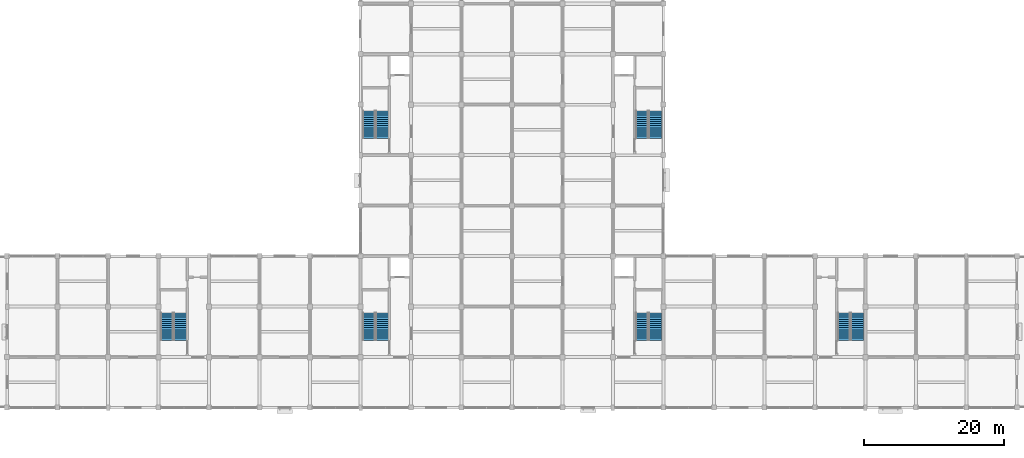
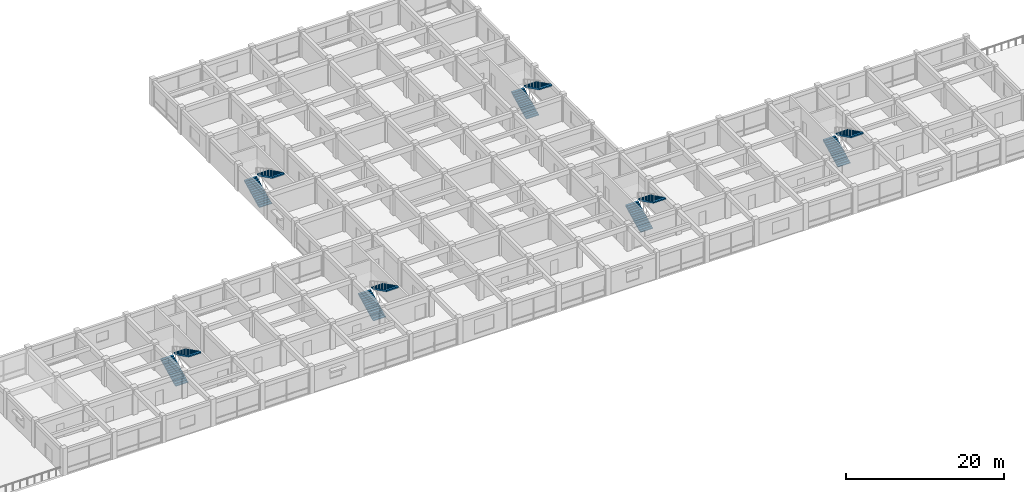
# One storey, part 25 of 31: 12 stair flights, 6 elements without a shape of their own.
"""IFC4 building model written with IfcOpenShell, lengths in metres."""

from ifc_helpers import new_model, si_unit, direction, frame, origin, place, context, subcontext, project, spatial, polyline, outline, extrude, material, type_object, element, aggregate, save


model = new_model("IFC4")

# Units and contexts
model_context = context("Model", 3, precision=1e-05, world=origin(), true_north=direction((0.0, 1.0)))
body_context = subcontext(model_context, "Body", "Model", "MODEL_VIEW")
ifc_project = project(units=[si_unit("LENGTHUNIT", "METRE"), si_unit("AREAUNIT", "SQUARE_METRE"), si_unit("VOLUMEUNIT", "CUBIC_METRE"), si_unit("PLANEANGLEUNIT", "RADIAN"), si_unit("MASSUNIT", "GRAM", prefix="KILO")], contexts=[model_context])

# Site, building, storey
site_placement = place(None, origin())
site = spatial("IfcSite", under=ifc_project, at=site_placement, CompositionType="ELEMENT")
building_placement = place(site_placement, origin())
building = spatial("IfcBuilding", under=site, at=building_placement, Name="Cendaluz Park School", CompositionType="ELEMENT")
storey_placement = place(building_placement, frame((0.0, 0.0, 14.39990234375)))
storey = spatial("IfcBuildingStorey", under=building, at=storey_placement, Name="L03", CompositionType="ELEMENT", Elevation=14.39990234375)

# Stair, stair flights
ifc_material = material(Name="Concrete C40/50", Category="concrete")
stair_type = type_object("IfcStairType", Name="ST-420-180", PredefinedType="HALF_TURN_STAIR", material=ifc_material)
stair_1_placement = place(storey_placement, origin())
stair_1 = element("IfcStair", 1, at=stair_1_placement, inside=storey, type_object=stair_type, Name="ST-L03-C1", PredefinedType="HALF_TURN_STAIR")
stair_flight_type = type_object("IfcStairFlightType", Name="SF-14-150-180", PredefinedType="STRAIGHT", material=ifc_material)
stair_flight_1_placement = place(storey_placement, frame((65.989990234375, 16.800048828125, 0.0), z_axis=(0.0, 0.0, 1.0), x_axis=(0.0, 1.0, 0.0)))
stair_flight_1 = element("IfcStairFlight", 2, at=stair_flight_1_placement, type_object=stair_flight_type, Name="SF-L03-C1-1", NumberOfRisers=14, NumberOfTreads=13, PredefinedType="STRAIGHT", RiserHeight=0.15, TreadLength=0.3, context=body_context, shape_type="SweptSolid", body=[
    extrude(outline(polyline([(0.0, 0.0), (0.0, 0.14990234375), (0.300048828125, 0.14990234375), (0.300048828125, 0.300048828125), (0.60009765625, 0.300048828125), (0.60009765625, 0.449951171875), (0.89990234375, 0.449951171875), (0.89990234375, 0.60009765625), (1.199951171875, 0.60009765625), (1.199951171875, 0.75), (1.5, 0.75), (1.5, 0.89990234375), (1.800048828125, 0.89990234375), (1.800048828125, 1.050048828125), (2.10009765625, 1.050048828125), (2.10009765625, 1.199951171875), (2.39990234375, 1.199951171875), (2.39990234375, 1.35009765625), (2.699951171875, 1.35009765625), (2.699951171875, 1.5), (3.0, 1.5), (3.0, 1.64990234375), (3.300048828125, 1.64990234375), (3.300048828125, 1.800048828125), (3.60009765625, 1.800048828125), (3.60009765625, 1.949951171875), (3.89990234375, 1.949951171875), (3.89990234375, 2.10009765625), (3.89990234375, 1.748779296875), (0.40234375, 0.0), (0.0, 0.0)])), frame((0.0, 0.89990234375, 0.0), z_axis=(0.0, -1.0, 0.0), x_axis=(1.0, 0.0, 0.0)), (0.0, 0.0, 1.0), 1.800048828125),
])
stair_flight_2_placement = place(storey_placement, frame((67.860107421875, 20.699951171875, 2.10009765625), z_axis=(0.0, 0.0, 1.0), x_axis=(0.0, -1.0, 0.0)))
stair_flight_2 = element("IfcStairFlight", 3, at=stair_flight_2_placement, type_object=stair_flight_type, Name="SF-L03-C1-2", NumberOfRisers=14, NumberOfTreads=13, PredefinedType="STRAIGHT", RiserHeight=0.15, TreadLength=0.3, context=body_context, shape_type="SweptSolid", body=[
    extrude(outline(polyline([(0.0, 0.0), (0.0, 0.14990234375), (0.300048828125, 0.14990234375), (0.300048828125, 0.300048828125), (0.60009765625, 0.300048828125), (0.60009765625, 0.449951171875), (0.89990234375, 0.449951171875), (0.89990234375, 0.60009765625), (1.199951171875, 0.60009765625), (1.199951171875, 0.75), (1.5, 0.75), (1.5, 0.89990234375), (1.800048828125, 0.89990234375), (1.800048828125, 1.050048828125), (2.10009765625, 1.050048828125), (2.10009765625, 1.199951171875), (2.39990234375, 1.199951171875), (2.39990234375, 1.35009765625), (2.699951171875, 1.35009765625), (2.699951171875, 1.5), (3.0, 1.5), (3.0, 1.64990234375), (3.300048828125, 1.64990234375), (3.300048828125, 1.800048828125), (3.60009765625, 1.800048828125), (3.60009765625, 1.949951171875), (3.89990234375, 1.949951171875), (3.89990234375, 2.10009765625), (3.89990234375, 1.748779296875), (0.40234375, 0.0), (0.0, 0.0)])), frame((0.0, 0.89990234375, 0.0), z_axis=(0.0, -1.0, 0.0), x_axis=(1.0, 0.0, 0.0)), (0.0, 0.0, 1.0), 1.800048828125),
])
aggregate(stair_1, [stair_flight_1, stair_flight_2])

stair_2_placement = place(storey_placement, origin())
stair_2 = element("IfcStair", 4, at=stair_2_placement, inside=storey, type_object=stair_type, Name="ST-L03-C2", PredefinedType="HALF_TURN_STAIR")
stair_flight_3_placement = place(storey_placement, frame((104.93994140625, 16.800048828125, 0.0), z_axis=(0.0, 0.0, 1.0), x_axis=(0.0, 1.0, 0.0)))
stair_flight_3 = element("IfcStairFlight", 5, at=stair_flight_3_placement, type_object=stair_flight_type, Name="SF-L03-C2-1", NumberOfRisers=14, NumberOfTreads=13, PredefinedType="STRAIGHT", RiserHeight=0.15, TreadLength=0.3, context=body_context, shape_type="SweptSolid", body=[
    extrude(outline(polyline([(0.0, 0.0), (0.0, 0.14990234375), (0.300048828125, 0.14990234375), (0.300048828125, 0.300048828125), (0.60009765625, 0.300048828125), (0.60009765625, 0.449951171875), (0.89990234375, 0.449951171875), (0.89990234375, 0.60009765625), (1.199951171875, 0.60009765625), (1.199951171875, 0.75), (1.5, 0.75), (1.5, 0.89990234375), (1.800048828125, 0.89990234375), (1.800048828125, 1.050048828125), (2.10009765625, 1.050048828125), (2.10009765625, 1.199951171875), (2.39990234375, 1.199951171875), (2.39990234375, 1.35009765625), (2.699951171875, 1.35009765625), (2.699951171875, 1.5), (3.0, 1.5), (3.0, 1.64990234375), (3.300048828125, 1.64990234375), (3.300048828125, 1.800048828125), (3.60009765625, 1.800048828125), (3.60009765625, 1.949951171875), (3.89990234375, 1.949951171875), (3.89990234375, 2.10009765625), (3.89990234375, 1.748779296875), (0.40234375, 0.0), (0.0, 0.0)])), frame((0.0, 0.89990234375, 0.0), z_axis=(0.0, -1.0, 0.0), x_axis=(1.0, 0.0, 0.0)), (0.0, 0.0, 1.0), 1.800048828125),
])
stair_flight_4_placement = place(storey_placement, frame((106.81005859375, 20.699951171875, 2.10009765625), z_axis=(0.0, 0.0, 1.0), x_axis=(0.0, -1.0, 0.0)))
stair_flight_4 = element("IfcStairFlight", 6, at=stair_flight_4_placement, type_object=stair_flight_type, Name="SF-L03-C2-2", NumberOfRisers=14, NumberOfTreads=13, PredefinedType="STRAIGHT", RiserHeight=0.15, TreadLength=0.3, context=body_context, shape_type="SweptSolid", body=[
    extrude(outline(polyline([(0.0, 0.0), (0.0, 0.14990234375), (0.300048828125, 0.14990234375), (0.300048828125, 0.300048828125), (0.60009765625, 0.300048828125), (0.60009765625, 0.449951171875), (0.89990234375, 0.449951171875), (0.89990234375, 0.60009765625), (1.199951171875, 0.60009765625), (1.199951171875, 0.75), (1.5, 0.75), (1.5, 0.89990234375), (1.800048828125, 0.89990234375), (1.800048828125, 1.050048828125), (2.10009765625, 1.050048828125), (2.10009765625, 1.199951171875), (2.39990234375, 1.199951171875), (2.39990234375, 1.35009765625), (2.699951171875, 1.35009765625), (2.699951171875, 1.5), (3.0, 1.5), (3.0, 1.64990234375), (3.300048828125, 1.64990234375), (3.300048828125, 1.800048828125), (3.60009765625, 1.800048828125), (3.60009765625, 1.949951171875), (3.89990234375, 1.949951171875), (3.89990234375, 2.10009765625), (3.89990234375, 1.748779296875), (0.40234375, 0.0), (0.0, 0.0)])), frame((0.0, 0.89990234375, 0.0), z_axis=(0.0, -1.0, 0.0), x_axis=(1.0, 0.0, 0.0)), (0.0, 0.0, 1.0), 1.800048828125),
])
aggregate(stair_2, [stair_flight_3, stair_flight_4])

stair_3_placement = place(storey_placement, origin())
stair_3 = element("IfcStair", 7, at=stair_3_placement, inside=storey, type_object=stair_type, Name="ST-L03-C3", PredefinedType="HALF_TURN_STAIR")
stair_flight_5_placement = place(storey_placement, frame((65.989990234375, 45.60009765625, 0.0), z_axis=(0.0, 0.0, 1.0), x_axis=(0.0, 1.0, 0.0)))
stair_flight_5 = element("IfcStairFlight", 8, at=stair_flight_5_placement, type_object=stair_flight_type, Name="SF-L03-C3-1", NumberOfRisers=14, NumberOfTreads=13, PredefinedType="STRAIGHT", RiserHeight=0.15, TreadLength=0.3, context=body_context, shape_type="SweptSolid", body=[
    extrude(outline(polyline([(0.0, 0.0), (0.0, 0.14990234375), (0.300048828125, 0.14990234375), (0.300048828125, 0.300048828125), (0.60009765625, 0.300048828125), (0.60009765625, 0.449951171875), (0.89990234375, 0.449951171875), (0.89990234375, 0.60009765625), (1.199951171875, 0.60009765625), (1.199951171875, 0.75), (1.5, 0.75), (1.5, 0.89990234375), (1.800048828125, 0.89990234375), (1.800048828125, 1.050048828125), (2.10009765625, 1.050048828125), (2.10009765625, 1.199951171875), (2.39990234375, 1.199951171875), (2.39990234375, 1.35009765625), (2.699951171875, 1.35009765625), (2.699951171875, 1.5), (3.0, 1.5), (3.0, 1.64990234375), (3.300048828125, 1.64990234375), (3.300048828125, 1.800048828125), (3.60009765625, 1.800048828125), (3.60009765625, 1.949951171875), (3.89990234375, 1.949951171875), (3.89990234375, 2.10009765625), (3.89990234375, 1.748779296875), (0.40234375, 0.0), (0.0, 0.0)])), frame((0.0, 0.89990234375, 0.0), z_axis=(0.0, -1.0, 0.0), x_axis=(1.0, 0.0, 0.0)), (0.0, 0.0, 1.0), 1.800048828125),
])
stair_flight_6_placement = place(storey_placement, frame((67.860107421875, 49.5, 2.10009765625), z_axis=(0.0, 0.0, 1.0), x_axis=(0.0, -1.0, 0.0)))
stair_flight_6 = element("IfcStairFlight", 9, at=stair_flight_6_placement, type_object=stair_flight_type, Name="SF-L03-C3-2", NumberOfRisers=14, NumberOfTreads=13, PredefinedType="STRAIGHT", RiserHeight=0.15, TreadLength=0.3, context=body_context, shape_type="SweptSolid", body=[
    extrude(outline(polyline([(0.0, 0.0), (0.0, 0.14990234375), (0.300048828125, 0.14990234375), (0.300048828125, 0.300048828125), (0.60009765625, 0.300048828125), (0.60009765625, 0.449951171875), (0.89990234375, 0.449951171875), (0.89990234375, 0.60009765625), (1.199951171875, 0.60009765625), (1.199951171875, 0.75), (1.5, 0.75), (1.5, 0.89990234375), (1.800048828125, 0.89990234375), (1.800048828125, 1.050048828125), (2.10009765625, 1.050048828125), (2.10009765625, 1.199951171875), (2.39990234375, 1.199951171875), (2.39990234375, 1.35009765625), (2.699951171875, 1.35009765625), (2.699951171875, 1.5), (3.0, 1.5), (3.0, 1.64990234375), (3.300048828125, 1.64990234375), (3.300048828125, 1.800048828125), (3.60009765625, 1.800048828125), (3.60009765625, 1.949951171875), (3.89990234375, 1.949951171875), (3.89990234375, 2.10009765625), (3.89990234375, 1.748779296875), (0.40234375, 0.0), (0.0, 0.0)])), frame((0.0, 0.89990234375, 0.0), z_axis=(0.0, -1.0, 0.0), x_axis=(1.0, 0.0, 0.0)), (0.0, 0.0, 1.0), 1.800048828125),
])
aggregate(stair_3, [stair_flight_5, stair_flight_6])

stair_4_placement = place(storey_placement, origin())
stair_4 = element("IfcStair", 10, at=stair_4_placement, inside=storey, type_object=stair_type, Name="ST-L03-C4", PredefinedType="HALF_TURN_STAIR")
stair_flight_7_placement = place(storey_placement, frame((104.93994140625, 45.60009765625, 0.0), z_axis=(0.0, 0.0, 1.0), x_axis=(0.0, 1.0, 0.0)))
stair_flight_7 = element("IfcStairFlight", 11, at=stair_flight_7_placement, type_object=stair_flight_type, Name="SF-L03-C4-1", NumberOfRisers=14, NumberOfTreads=13, PredefinedType="STRAIGHT", RiserHeight=0.15, TreadLength=0.3, context=body_context, shape_type="SweptSolid", body=[
    extrude(outline(polyline([(0.0, 0.0), (0.0, 0.14990234375), (0.300048828125, 0.14990234375), (0.300048828125, 0.300048828125), (0.60009765625, 0.300048828125), (0.60009765625, 0.449951171875), (0.89990234375, 0.449951171875), (0.89990234375, 0.60009765625), (1.199951171875, 0.60009765625), (1.199951171875, 0.75), (1.5, 0.75), (1.5, 0.89990234375), (1.800048828125, 0.89990234375), (1.800048828125, 1.050048828125), (2.10009765625, 1.050048828125), (2.10009765625, 1.199951171875), (2.39990234375, 1.199951171875), (2.39990234375, 1.35009765625), (2.699951171875, 1.35009765625), (2.699951171875, 1.5), (3.0, 1.5), (3.0, 1.64990234375), (3.300048828125, 1.64990234375), (3.300048828125, 1.800048828125), (3.60009765625, 1.800048828125), (3.60009765625, 1.949951171875), (3.89990234375, 1.949951171875), (3.89990234375, 2.10009765625), (3.89990234375, 1.748779296875), (0.40234375, 0.0), (0.0, 0.0)])), frame((0.0, 0.89990234375, 0.0), z_axis=(0.0, -1.0, 0.0), x_axis=(1.0, 0.0, 0.0)), (0.0, 0.0, 1.0), 1.800048828125),
])
stair_flight_8_placement = place(storey_placement, frame((106.81005859375, 49.5, 2.10009765625), z_axis=(0.0, 0.0, 1.0), x_axis=(0.0, -1.0, 0.0)))
stair_flight_8 = element("IfcStairFlight", 12, at=stair_flight_8_placement, type_object=stair_flight_type, Name="SF-L03-C4-2", NumberOfRisers=14, NumberOfTreads=13, PredefinedType="STRAIGHT", RiserHeight=0.15, TreadLength=0.3, context=body_context, shape_type="SweptSolid", body=[
    extrude(outline(polyline([(0.0, 0.0), (0.0, 0.14990234375), (0.300048828125, 0.14990234375), (0.300048828125, 0.300048828125), (0.60009765625, 0.300048828125), (0.60009765625, 0.449951171875), (0.89990234375, 0.449951171875), (0.89990234375, 0.60009765625), (1.199951171875, 0.60009765625), (1.199951171875, 0.75), (1.5, 0.75), (1.5, 0.89990234375), (1.800048828125, 0.89990234375), (1.800048828125, 1.050048828125), (2.10009765625, 1.050048828125), (2.10009765625, 1.199951171875), (2.39990234375, 1.199951171875), (2.39990234375, 1.35009765625), (2.699951171875, 1.35009765625), (2.699951171875, 1.5), (3.0, 1.5), (3.0, 1.64990234375), (3.300048828125, 1.64990234375), (3.300048828125, 1.800048828125), (3.60009765625, 1.800048828125), (3.60009765625, 1.949951171875), (3.89990234375, 1.949951171875), (3.89990234375, 2.10009765625), (3.89990234375, 1.748779296875), (0.40234375, 0.0), (0.0, 0.0)])), frame((0.0, 0.89990234375, 0.0), z_axis=(0.0, -1.0, 0.0), x_axis=(1.0, 0.0, 0.0)), (0.0, 0.0, 1.0), 1.800048828125),
])
aggregate(stair_4, [stair_flight_7, stair_flight_8])

stair_5_placement = place(storey_placement, origin())
stair_5 = element("IfcStair", 13, at=stair_5_placement, inside=storey, type_object=stair_type, Name="ST-L03-C5", PredefinedType="HALF_TURN_STAIR")
stair_flight_9_placement = place(storey_placement, frame((37.18994140625, 16.800048828125, 0.0), z_axis=(0.0, 0.0, 1.0), x_axis=(0.0, 1.0, 0.0)))
stair_flight_9 = element("IfcStairFlight", 14, at=stair_flight_9_placement, type_object=stair_flight_type, Name="SF-L03-C5-1", NumberOfRisers=14, NumberOfTreads=13, PredefinedType="STRAIGHT", RiserHeight=0.15, TreadLength=0.3, context=body_context, shape_type="SweptSolid", body=[
    extrude(outline(polyline([(0.0, 0.0), (0.0, 0.14990234375), (0.300048828125, 0.14990234375), (0.300048828125, 0.300048828125), (0.60009765625, 0.300048828125), (0.60009765625, 0.449951171875), (0.89990234375, 0.449951171875), (0.89990234375, 0.60009765625), (1.199951171875, 0.60009765625), (1.199951171875, 0.75), (1.5, 0.75), (1.5, 0.89990234375), (1.800048828125, 0.89990234375), (1.800048828125, 1.050048828125), (2.10009765625, 1.050048828125), (2.10009765625, 1.199951171875), (2.39990234375, 1.199951171875), (2.39990234375, 1.35009765625), (2.699951171875, 1.35009765625), (2.699951171875, 1.5), (3.0, 1.5), (3.0, 1.64990234375), (3.300048828125, 1.64990234375), (3.300048828125, 1.800048828125), (3.60009765625, 1.800048828125), (3.60009765625, 1.949951171875), (3.89990234375, 1.949951171875), (3.89990234375, 2.10009765625), (3.89990234375, 1.748779296875), (0.40234375, 0.0), (0.0, 0.0)])), frame((0.0, 0.89990234375, 0.0), z_axis=(0.0, -1.0, 0.0), x_axis=(1.0, 0.0, 0.0)), (0.0, 0.0, 1.0), 1.800048828125),
])
stair_flight_10_placement = place(storey_placement, frame((39.06005859375, 20.699951171875, 2.10009765625), z_axis=(0.0, 0.0, 1.0), x_axis=(0.0, -1.0, 0.0)))
stair_flight_10 = element("IfcStairFlight", 15, at=stair_flight_10_placement, type_object=stair_flight_type, Name="SF-L03-C5-2", NumberOfRisers=14, NumberOfTreads=13, PredefinedType="STRAIGHT", RiserHeight=0.15, TreadLength=0.3, context=body_context, shape_type="SweptSolid", body=[
    extrude(outline(polyline([(0.0, 0.0), (0.0, 0.14990234375), (0.300048828125, 0.14990234375), (0.300048828125, 0.300048828125), (0.60009765625, 0.300048828125), (0.60009765625, 0.449951171875), (0.89990234375, 0.449951171875), (0.89990234375, 0.60009765625), (1.199951171875, 0.60009765625), (1.199951171875, 0.75), (1.5, 0.75), (1.5, 0.89990234375), (1.800048828125, 0.89990234375), (1.800048828125, 1.050048828125), (2.10009765625, 1.050048828125), (2.10009765625, 1.199951171875), (2.39990234375, 1.199951171875), (2.39990234375, 1.35009765625), (2.699951171875, 1.35009765625), (2.699951171875, 1.5), (3.0, 1.5), (3.0, 1.64990234375), (3.300048828125, 1.64990234375), (3.300048828125, 1.800048828125), (3.60009765625, 1.800048828125), (3.60009765625, 1.949951171875), (3.89990234375, 1.949951171875), (3.89990234375, 2.10009765625), (3.89990234375, 1.748779296875), (0.40234375, 0.0), (0.0, 0.0)])), frame((0.0, 0.89990234375, 0.0), z_axis=(0.0, -1.0, 0.0), x_axis=(1.0, 0.0, 0.0)), (0.0, 0.0, 1.0), 1.800048828125),
])
aggregate(stair_5, [stair_flight_9, stair_flight_10])

stair_6_placement = place(storey_placement, origin())
stair_6 = element("IfcStair", 16, at=stair_6_placement, inside=storey, type_object=stair_type, Name="ST-L03-C6", PredefinedType="HALF_TURN_STAIR")
stair_flight_11_placement = place(storey_placement, frame((133.739990234375, 16.800048828125, 0.0), z_axis=(0.0, 0.0, 1.0), x_axis=(0.0, 1.0, 0.0)))
stair_flight_11 = element("IfcStairFlight", 17, at=stair_flight_11_placement, type_object=stair_flight_type, Name="SF-L03-C6-1", NumberOfRisers=14, NumberOfTreads=13, PredefinedType="STRAIGHT", RiserHeight=0.15, TreadLength=0.3, context=body_context, shape_type="SweptSolid", body=[
    extrude(outline(polyline([(0.0, 0.0), (0.0, 0.14990234375), (0.300048828125, 0.14990234375), (0.300048828125, 0.300048828125), (0.60009765625, 0.300048828125), (0.60009765625, 0.449951171875), (0.89990234375, 0.449951171875), (0.89990234375, 0.60009765625), (1.199951171875, 0.60009765625), (1.199951171875, 0.75), (1.5, 0.75), (1.5, 0.89990234375), (1.800048828125, 0.89990234375), (1.800048828125, 1.050048828125), (2.10009765625, 1.050048828125), (2.10009765625, 1.199951171875), (2.39990234375, 1.199951171875), (2.39990234375, 1.35009765625), (2.699951171875, 1.35009765625), (2.699951171875, 1.5), (3.0, 1.5), (3.0, 1.64990234375), (3.300048828125, 1.64990234375), (3.300048828125, 1.800048828125), (3.60009765625, 1.800048828125), (3.60009765625, 1.949951171875), (3.89990234375, 1.949951171875), (3.89990234375, 2.10009765625), (3.89990234375, 1.748779296875), (0.40234375, 0.0), (0.0, 0.0)])), frame((0.0, 0.89990234375, 0.0), z_axis=(0.0, -1.0, 0.0), x_axis=(1.0, 0.0, 0.0)), (0.0, 0.0, 1.0), 1.800048828125),
])
stair_flight_12_placement = place(storey_placement, frame((135.610107421875, 20.699951171875, 2.10009765625), z_axis=(0.0, 0.0, 1.0), x_axis=(0.0, -1.0, 0.0)))
stair_flight_12 = element("IfcStairFlight", 18, at=stair_flight_12_placement, type_object=stair_flight_type, Name="SF-L03-C6-2", NumberOfRisers=14, NumberOfTreads=13, PredefinedType="STRAIGHT", RiserHeight=0.15, TreadLength=0.3, context=body_context, shape_type="SweptSolid", body=[
    extrude(outline(polyline([(0.0, 0.0), (0.0, 0.14990234375), (0.300048828125, 0.14990234375), (0.300048828125, 0.300048828125), (0.60009765625, 0.300048828125), (0.60009765625, 0.449951171875), (0.89990234375, 0.449951171875), (0.89990234375, 0.60009765625), (1.199951171875, 0.60009765625), (1.199951171875, 0.75), (1.5, 0.75), (1.5, 0.89990234375), (1.800048828125, 0.89990234375), (1.800048828125, 1.050048828125), (2.10009765625, 1.050048828125), (2.10009765625, 1.199951171875), (2.39990234375, 1.199951171875), (2.39990234375, 1.35009765625), (2.699951171875, 1.35009765625), (2.699951171875, 1.5), (3.0, 1.5), (3.0, 1.64990234375), (3.300048828125, 1.64990234375), (3.300048828125, 1.800048828125), (3.60009765625, 1.800048828125), (3.60009765625, 1.949951171875), (3.89990234375, 1.949951171875), (3.89990234375, 2.10009765625), (3.89990234375, 1.748779296875), (0.40234375, 0.0), (0.0, 0.0)])), frame((0.0, 0.89990234375, 0.0), z_axis=(0.0, -1.0, 0.0), x_axis=(1.0, 0.0, 0.0)), (0.0, 0.0, 1.0), 1.800048828125),
])
aggregate(stair_6, [stair_flight_11, stair_flight_12])

save(model, "model.ifc")
